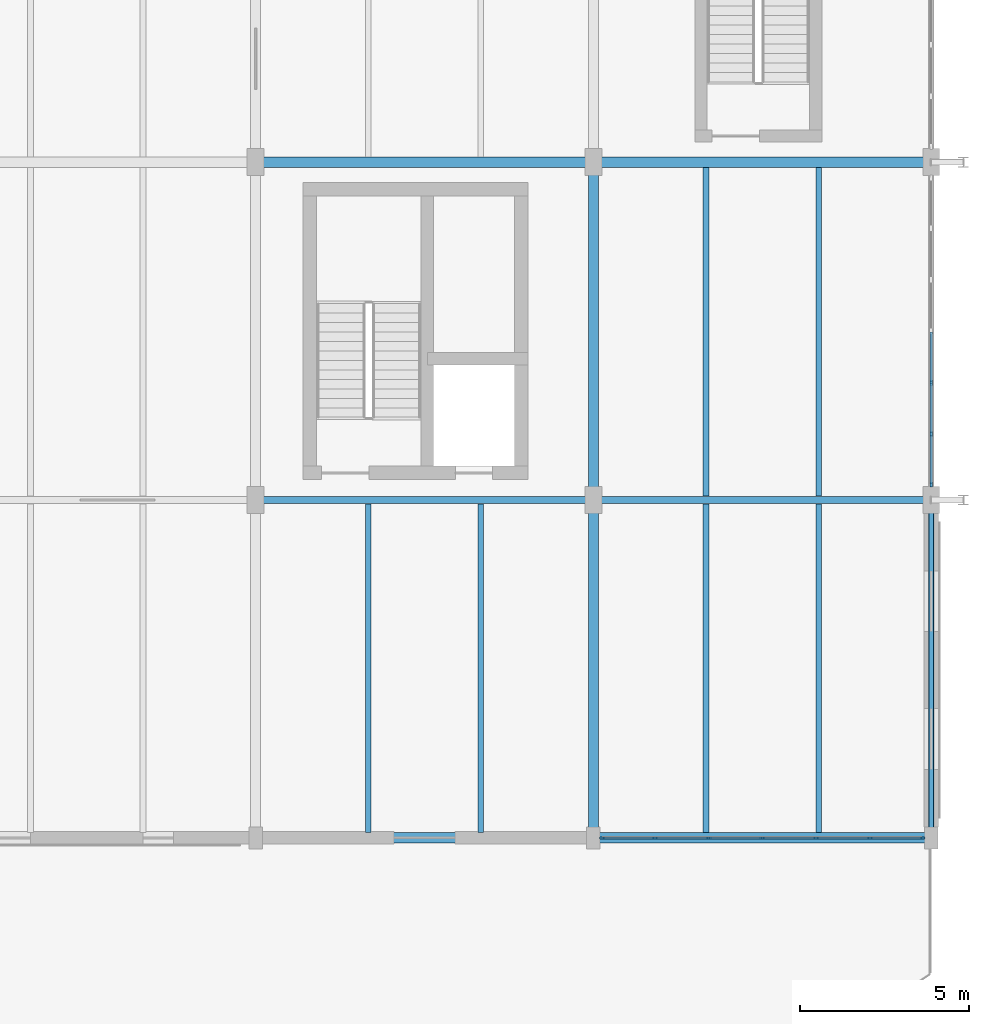
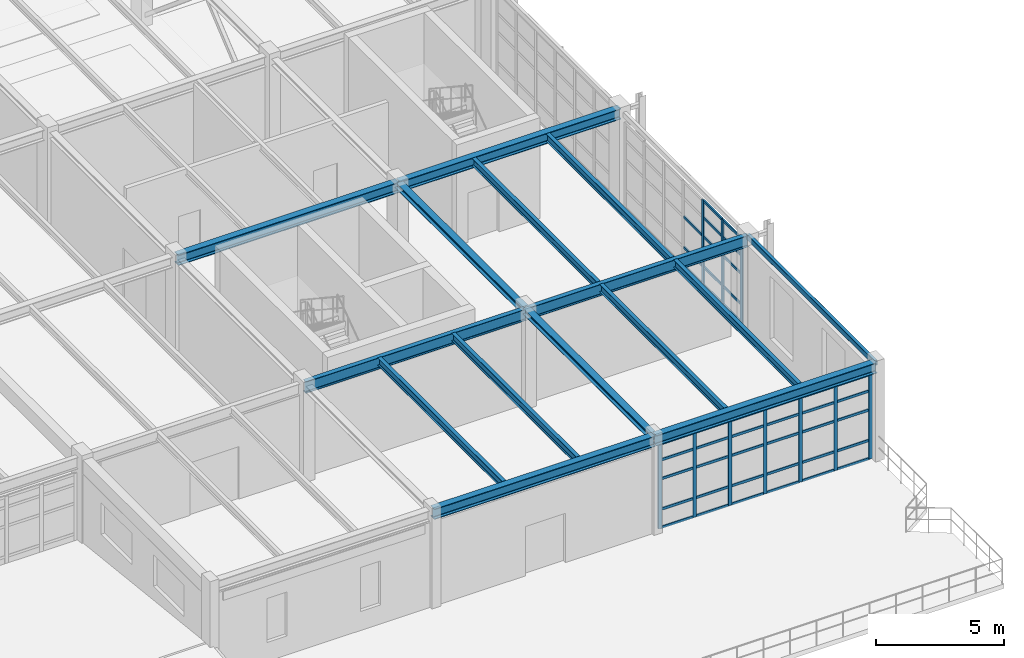
# One storey, part 64 of 139: 53 members, 15 beams, 2 elements without a shape of their own.
"""IFC4 building model written with IfcOpenShell, lengths in metres."""

from ifc_helpers import new_model, si_unit, direction, frame, origin, origin_2d, place, context, subcontext, project, spatial, rectangle, hollow_rectangle, i_section, extrude, material, layer, layer_set, material_profile, profile_set, type_object, element, aggregate, save


model = new_model("IFC4")

# Units and contexts
model_context = context("Model", 3, precision=1e-05, world=origin(), true_north=direction((0.0, 1.0)))
body_context = subcontext(model_context, "Body", "Model", "MODEL_VIEW")
ifc_project = project(units=[si_unit("LENGTHUNIT", "METRE"), si_unit("AREAUNIT", "SQUARE_METRE"), si_unit("VOLUMEUNIT", "CUBIC_METRE"), si_unit("PLANEANGLEUNIT", "RADIAN"), si_unit("MASSUNIT", "GRAM", prefix="KILO"), si_unit("THERMODYNAMICTEMPERATUREUNIT", "KELVIN"), si_unit("POWERUNIT", "WATT")], contexts=[model_context])

# Site, building, storey
site_placement = place(None, origin())
site = spatial("IfcSite", under=ifc_project, at=site_placement, CompositionType="ELEMENT")
building_placement = place(site_placement, origin())
building = spatial("IfcBuilding", under=site, at=building_placement, Name="Korenveer Ferry Terminal", CompositionType="ELEMENT")
storey_placement = place(building_placement, frame((0.0, 0.0, 5.39990234375)))
storey = spatial("IfcBuildingStorey", under=building, at=storey_placement, Name="L01", CompositionType="ELEMENT", Elevation=5.39990234375)

# Curtain wall, members
ifc_material_1 = material(Name="Unitised bronze-and-glass curtain wall", Category="glass")
ifc_layer_1 = layer(ifc_material_1, 0.159912109375)
ifc_layer_set_1 = layer_set([ifc_layer_1], Name="Unitised bronze-and-glass curtain wall")
curtain_wall_type_1 = type_object("IfcCurtainWallType", Name="ENV-CW-37", PredefinedType="USERDEFINED", material=ifc_layer_set_1)
curtain_wall_1_placement = place(storey_placement, frame((166.22998046875, 10.0, 0.0)))
curtain_wall_1 = element("IfcCurtainWall", 1, at=curtain_wall_1_placement, inside=storey, type_object=curtain_wall_type_1, Name="Lancet curtain wall CWX-L01-X166-176-Y10-10", ObjectType="UNITISED CURTAIN WALL", PredefinedType="USERDEFINED")
ifc_material_2 = material(Name="Anodised bronze aluminium", Category="aluminium")
ifc_material_profile_1 = material_profile(ifc_material_2, rectangle(XDim=0.06005859375, YDim=0.159912109375, at=origin_2d()), Name="ALU 60x160")
ifc_profile_set_1 = profile_set([ifc_material_profile_1], Name="Anodised bronze aluminium")
member_type_1 = type_object("IfcMemberType", Name="ENV-CWM-60X160", PredefinedType="MULLION", material=ifc_profile_set_1)
member_1_placement = place(storey_placement, frame((166.260009765625, 10.0, 0.0), z_axis=(0.0, 0.0, 1.0), x_axis=(0.0, 1.0, 0.0)))
member_1 = element("IfcMember", 2, at=member_1_placement, type_object=member_type_1, Name="CW-37 mullion 1", PredefinedType="MULLION", context=body_context, shape_type="SweptSolid", body=[
    extrude(rectangle(XDim=0.06005859375, YDim=0.159912109375, at=origin_2d()), origin(), (0.0, 0.0, 1.0), 4.050048828125),
])
member_2_placement = place(storey_placement, frame((167.820068359375, 10.0, 0.0), z_axis=(0.0, 0.0, 1.0), x_axis=(0.0, 1.0, 0.0)))
member_2 = element("IfcMember", 3, at=member_2_placement, type_object=member_type_1, Name="CW-37 mullion 2", PredefinedType="MULLION", context=body_context, shape_type="SweptSolid", body=[
    extrude(rectangle(XDim=0.06005859375, YDim=0.159912109375, at=origin_2d()), origin(), (0.0, 0.0, 1.0), 4.050048828125),
])
member_3_placement = place(storey_placement, frame((169.409912109375, 10.0, 0.0), z_axis=(0.0, 0.0, 1.0), x_axis=(0.0, 1.0, 0.0)))
member_3 = element("IfcMember", 4, at=member_3_placement, type_object=member_type_1, Name="CW-37 mullion 3", PredefinedType="MULLION", context=body_context, shape_type="SweptSolid", body=[
    extrude(rectangle(XDim=0.06005859375, YDim=0.159912109375, at=origin_2d()), origin(), (0.0, 0.0, 1.0), 4.050048828125),
])
member_4_placement = place(storey_placement, frame((171.0, 10.0, 0.0), z_axis=(0.0, 0.0, 1.0), x_axis=(0.0, 1.0, 0.0)))
member_4 = element("IfcMember", 5, at=member_4_placement, type_object=member_type_1, Name="CW-37 mullion 4", PredefinedType="MULLION", context=body_context, shape_type="SweptSolid", body=[
    extrude(rectangle(XDim=0.06005859375, YDim=0.159912109375, at=origin_2d()), origin(), (0.0, 0.0, 1.0), 4.050048828125),
])
member_5_placement = place(storey_placement, frame((172.590087890625, 10.0, 0.0), z_axis=(0.0, 0.0, 1.0), x_axis=(0.0, 1.0, 0.0)))
member_5 = element("IfcMember", 6, at=member_5_placement, type_object=member_type_1, Name="CW-37 mullion 5", PredefinedType="MULLION", context=body_context, shape_type="SweptSolid", body=[
    extrude(rectangle(XDim=0.06005859375, YDim=0.159912109375, at=origin_2d()), origin(), (0.0, 0.0, 1.0), 4.050048828125),
])
member_6_placement = place(storey_placement, frame((174.179931640625, 10.0, 0.0), z_axis=(0.0, 0.0, 1.0), x_axis=(0.0, 1.0, 0.0)))
member_6 = element("IfcMember", 7, at=member_6_placement, type_object=member_type_1, Name="CW-37 mullion 6", PredefinedType="MULLION", context=body_context, shape_type="SweptSolid", body=[
    extrude(rectangle(XDim=0.06005859375, YDim=0.159912109375, at=origin_2d()), origin(), (0.0, 0.0, 1.0), 4.050048828125),
])
member_7_placement = place(storey_placement, frame((175.739990234375, 10.0, 0.0), z_axis=(0.0, 0.0, 1.0), x_axis=(0.0, 1.0, 0.0)))
member_7 = element("IfcMember", 8, at=member_7_placement, type_object=member_type_1, Name="CW-37 mullion 7", PredefinedType="MULLION", context=body_context, shape_type="SweptSolid", body=[
    extrude(rectangle(XDim=0.06005859375, YDim=0.159912109375, at=origin_2d()), origin(), (0.0, 0.0, 1.0), 4.050048828125),
])

ifc_layer_2 = layer(ifc_material_1, 0.159912109375)
ifc_layer_set_2 = layer_set([ifc_layer_2], Name="Unitised bronze-and-glass curtain wall")
curtain_wall_type_2 = type_object("IfcCurtainWallType", Name="ENV-CW-80", PredefinedType="USERDEFINED", material=ifc_layer_set_2)
curtain_wall_2_placement = place(storey_placement, frame((176.0, 29.570068359375, 0.0)))
curtain_wall_2 = element("IfcCurtainWall", 9, at=curtain_wall_2_placement, inside=storey, type_object=curtain_wall_type_2, Name="Lancet curtain wall CWX-L01-X176-176-Y20-30", ObjectType="UNITISED CURTAIN WALL", PredefinedType="USERDEFINED")
member_8_placement = place(storey_placement, frame((176.0, 23.4765625, 0.0), z_axis=(0.0, 0.0, 1.0), x_axis=(1.0, 0.0, 0.0)))
member_8 = element("IfcMember", 10, at=member_8_placement, type_object=member_type_1, Name="CW-80 mullion 5", PredefinedType="MULLION", context=body_context, shape_type="SweptSolid", body=[
    extrude(rectangle(XDim=0.06005859375, YDim=0.159912109375, at=origin_2d()), origin(), (0.0, 0.0, 1.0), 4.070068359375),
])
member_9_placement = place(storey_placement, frame((176.0, 21.953369140625, 0.0), z_axis=(0.0, 0.0, 1.0), x_axis=(1.0, 0.0, 0.0)))
member_9 = element("IfcMember", 11, at=member_9_placement, type_object=member_type_1, Name="CW-80 mullion 6", PredefinedType="MULLION", context=body_context, shape_type="SweptSolid", body=[
    extrude(rectangle(XDim=0.06005859375, YDim=0.159912109375, at=origin_2d()), origin(), (0.0, 0.0, 1.0), 4.070068359375),
])
member_10_placement = place(storey_placement, frame((176.0, 20.4599609375, 0.0), z_axis=(0.0, 0.0, 1.0), x_axis=(1.0, 0.0, 0.0)))
member_10 = element("IfcMember", 12, at=member_10_placement, type_object=member_type_1, Name="CW-80 mullion 7", PredefinedType="MULLION", context=body_context, shape_type="SweptSolid", body=[
    extrude(rectangle(XDim=0.06005859375, YDim=0.159912109375, at=origin_2d()), origin(), (0.0, 0.0, 1.0), 4.070068359375),
])

# Member
ifc_material_profile_2 = material_profile(ifc_material_2, rectangle(XDim=0.06005859375, YDim=0.1201171875, at=origin_2d()), Name="ALU 60x120")
ifc_profile_set_2 = profile_set([ifc_material_profile_2], Name="Anodised bronze aluminium")
member_type_2 = type_object("IfcMemberType", Name="ENV-CWT-60X120", PredefinedType="USERDEFINED", material=ifc_profile_set_2)
member_11_placement = place(storey_placement, frame((166.2900390625, 10.0, 0.030029296875), z_axis=(1.0, 0.0, 0.0), x_axis=(0.0, 1.0, 0.0)))
member_11 = element("IfcMember", 13, at=member_11_placement, type_object=member_type_2, Name="CW-37 transom 1.1", ObjectType="TRANSOM", PredefinedType="USERDEFINED", context=body_context, shape_type="SweptSolid", body=[
    extrude(rectangle(XDim=0.06005859375, YDim=0.1201171875, at=origin_2d()), origin(), (0.0, 0.0, 1.0), 1.5),
])

member_12_placement = place(storey_placement, frame((166.2900390625, 10.0, 0.900146484375), z_axis=(1.0, 0.0, 0.0), x_axis=(0.0, 1.0, 0.0)))
member_12 = element("IfcMember", 14, at=member_12_placement, type_object=member_type_2, Name="CW-37 transom 1.2", ObjectType="TRANSOM", PredefinedType="USERDEFINED", context=body_context, shape_type="SweptSolid", body=[
    extrude(rectangle(XDim=0.06005859375, YDim=0.1201171875, at=origin_2d()), origin(), (0.0, 0.0, 1.0), 1.5),
])

member_13_placement = place(storey_placement, frame((166.2900390625, 10.0, 2.35009765625), z_axis=(1.0, 0.0, 0.0), x_axis=(0.0, 1.0, 0.0)))
member_13 = element("IfcMember", 15, at=member_13_placement, type_object=member_type_2, Name="CW-37 transom 1.3", ObjectType="TRANSOM", PredefinedType="USERDEFINED", context=body_context, shape_type="SweptSolid", body=[
    extrude(rectangle(XDim=0.06005859375, YDim=0.1201171875, at=origin_2d()), origin(), (0.0, 0.0, 1.0), 1.5),
])

member_14_placement = place(storey_placement, frame((166.2900390625, 10.0, 3.25), z_axis=(1.0, 0.0, 0.0), x_axis=(0.0, 1.0, 0.0)))
member_14 = element("IfcMember", 16, at=member_14_placement, type_object=member_type_2, Name="CW-37 transom 1.4", ObjectType="TRANSOM", PredefinedType="USERDEFINED", context=body_context, shape_type="SweptSolid", body=[
    extrude(rectangle(XDim=0.06005859375, YDim=0.1201171875, at=origin_2d()), origin(), (0.0, 0.0, 1.0), 1.5),
])

member_15_placement = place(storey_placement, frame((166.2900390625, 10.0, 4.02001953125), z_axis=(1.0, 0.0, 0.0), x_axis=(0.0, 1.0, 0.0)))
member_15 = element("IfcMember", 17, at=member_15_placement, type_object=member_type_2, Name="CW-37 transom 1.5", ObjectType="TRANSOM", PredefinedType="USERDEFINED", context=body_context, shape_type="SweptSolid", body=[
    extrude(rectangle(XDim=0.06005859375, YDim=0.1201171875, at=origin_2d()), origin(), (0.0, 0.0, 1.0), 1.5),
])

member_16_placement = place(storey_placement, frame((167.85009765625, 10.0, 0.030029296875), z_axis=(1.0, 0.0, 0.0), x_axis=(0.0, 1.0, 0.0)))
member_16 = element("IfcMember", 18, at=member_16_placement, type_object=member_type_2, Name="CW-37 transom 2.1", ObjectType="TRANSOM", PredefinedType="USERDEFINED", context=body_context, shape_type="SweptSolid", body=[
    extrude(rectangle(XDim=0.06005859375, YDim=0.1201171875, at=origin_2d()), origin(), (0.0, 0.0, 1.0), 1.52978515625),
])

member_17_placement = place(storey_placement, frame((167.85009765625, 10.0, 0.900146484375), z_axis=(1.0, 0.0, 0.0), x_axis=(0.0, 1.0, 0.0)))
member_17 = element("IfcMember", 19, at=member_17_placement, type_object=member_type_2, Name="CW-37 transom 2.2", ObjectType="TRANSOM", PredefinedType="USERDEFINED", context=body_context, shape_type="SweptSolid", body=[
    extrude(rectangle(XDim=0.06005859375, YDim=0.1201171875, at=origin_2d()), origin(), (0.0, 0.0, 1.0), 1.52978515625),
])

member_18_placement = place(storey_placement, frame((167.85009765625, 10.0, 2.35009765625), z_axis=(1.0, 0.0, 0.0), x_axis=(0.0, 1.0, 0.0)))
member_18 = element("IfcMember", 20, at=member_18_placement, type_object=member_type_2, Name="CW-37 transom 2.3", ObjectType="TRANSOM", PredefinedType="USERDEFINED", context=body_context, shape_type="SweptSolid", body=[
    extrude(rectangle(XDim=0.06005859375, YDim=0.1201171875, at=origin_2d()), origin(), (0.0, 0.0, 1.0), 1.52978515625),
])

member_19_placement = place(storey_placement, frame((167.85009765625, 10.0, 3.25), z_axis=(1.0, 0.0, 0.0), x_axis=(0.0, 1.0, 0.0)))
member_19 = element("IfcMember", 21, at=member_19_placement, type_object=member_type_2, Name="CW-37 transom 2.4", ObjectType="TRANSOM", PredefinedType="USERDEFINED", context=body_context, shape_type="SweptSolid", body=[
    extrude(rectangle(XDim=0.06005859375, YDim=0.1201171875, at=origin_2d()), origin(), (0.0, 0.0, 1.0), 1.52978515625),
])

member_20_placement = place(storey_placement, frame((167.85009765625, 10.0, 4.02001953125), z_axis=(1.0, 0.0, 0.0), x_axis=(0.0, 1.0, 0.0)))
member_20 = element("IfcMember", 22, at=member_20_placement, type_object=member_type_2, Name="CW-37 transom 2.5", ObjectType="TRANSOM", PredefinedType="USERDEFINED", context=body_context, shape_type="SweptSolid", body=[
    extrude(rectangle(XDim=0.06005859375, YDim=0.1201171875, at=origin_2d()), origin(), (0.0, 0.0, 1.0), 1.52978515625),
])

member_21_placement = place(storey_placement, frame((169.43994140625, 10.0, 0.030029296875), z_axis=(1.0, 0.0, 0.0), x_axis=(0.0, 1.0, 0.0)))
member_21 = element("IfcMember", 23, at=member_21_placement, type_object=member_type_2, Name="CW-37 transom 3.1", ObjectType="TRANSOM", PredefinedType="USERDEFINED", context=body_context, shape_type="SweptSolid", body=[
    extrude(rectangle(XDim=0.06005859375, YDim=0.1201171875, at=origin_2d()), origin(), (0.0, 0.0, 1.0), 1.530029296875),
])

member_22_placement = place(storey_placement, frame((169.43994140625, 10.0, 0.900146484375), z_axis=(1.0, 0.0, 0.0), x_axis=(0.0, 1.0, 0.0)))
member_22 = element("IfcMember", 24, at=member_22_placement, type_object=member_type_2, Name="CW-37 transom 3.2", ObjectType="TRANSOM", PredefinedType="USERDEFINED", context=body_context, shape_type="SweptSolid", body=[
    extrude(rectangle(XDim=0.06005859375, YDim=0.1201171875, at=origin_2d()), origin(), (0.0, 0.0, 1.0), 1.530029296875),
])

member_23_placement = place(storey_placement, frame((169.43994140625, 10.0, 2.35009765625), z_axis=(1.0, 0.0, 0.0), x_axis=(0.0, 1.0, 0.0)))
member_23 = element("IfcMember", 25, at=member_23_placement, type_object=member_type_2, Name="CW-37 transom 3.3", ObjectType="TRANSOM", PredefinedType="USERDEFINED", context=body_context, shape_type="SweptSolid", body=[
    extrude(rectangle(XDim=0.06005859375, YDim=0.1201171875, at=origin_2d()), origin(), (0.0, 0.0, 1.0), 1.530029296875),
])

member_24_placement = place(storey_placement, frame((169.43994140625, 10.0, 3.25), z_axis=(1.0, 0.0, 0.0), x_axis=(0.0, 1.0, 0.0)))
member_24 = element("IfcMember", 26, at=member_24_placement, type_object=member_type_2, Name="CW-37 transom 3.4", ObjectType="TRANSOM", PredefinedType="USERDEFINED", context=body_context, shape_type="SweptSolid", body=[
    extrude(rectangle(XDim=0.06005859375, YDim=0.1201171875, at=origin_2d()), origin(), (0.0, 0.0, 1.0), 1.530029296875),
])

member_25_placement = place(storey_placement, frame((169.43994140625, 10.0, 4.02001953125), z_axis=(1.0, 0.0, 0.0), x_axis=(0.0, 1.0, 0.0)))
member_25 = element("IfcMember", 27, at=member_25_placement, type_object=member_type_2, Name="CW-37 transom 3.5", ObjectType="TRANSOM", PredefinedType="USERDEFINED", context=body_context, shape_type="SweptSolid", body=[
    extrude(rectangle(XDim=0.06005859375, YDim=0.1201171875, at=origin_2d()), origin(), (0.0, 0.0, 1.0), 1.530029296875),
])

member_26_placement = place(storey_placement, frame((171.030029296875, 10.0, 0.030029296875), z_axis=(1.0, 0.0, 0.0), x_axis=(0.0, 1.0, 0.0)))
member_26 = element("IfcMember", 28, at=member_26_placement, type_object=member_type_2, Name="CW-37 transom 4.1", ObjectType="TRANSOM", PredefinedType="USERDEFINED", context=body_context, shape_type="SweptSolid", body=[
    extrude(rectangle(XDim=0.06005859375, YDim=0.1201171875, at=origin_2d()), origin(), (0.0, 0.0, 1.0), 1.530029296875),
])

member_27_placement = place(storey_placement, frame((171.030029296875, 10.0, 0.900146484375), z_axis=(1.0, 0.0, 0.0), x_axis=(0.0, 1.0, 0.0)))
member_27 = element("IfcMember", 29, at=member_27_placement, type_object=member_type_2, Name="CW-37 transom 4.2", ObjectType="TRANSOM", PredefinedType="USERDEFINED", context=body_context, shape_type="SweptSolid", body=[
    extrude(rectangle(XDim=0.06005859375, YDim=0.1201171875, at=origin_2d()), origin(), (0.0, 0.0, 1.0), 1.530029296875),
])

member_28_placement = place(storey_placement, frame((171.030029296875, 10.0, 2.35009765625), z_axis=(1.0, 0.0, 0.0), x_axis=(0.0, 1.0, 0.0)))
member_28 = element("IfcMember", 30, at=member_28_placement, type_object=member_type_2, Name="CW-37 transom 4.3", ObjectType="TRANSOM", PredefinedType="USERDEFINED", context=body_context, shape_type="SweptSolid", body=[
    extrude(rectangle(XDim=0.06005859375, YDim=0.1201171875, at=origin_2d()), origin(), (0.0, 0.0, 1.0), 1.530029296875),
])

member_29_placement = place(storey_placement, frame((171.030029296875, 10.0, 3.25), z_axis=(1.0, 0.0, 0.0), x_axis=(0.0, 1.0, 0.0)))
member_29 = element("IfcMember", 31, at=member_29_placement, type_object=member_type_2, Name="CW-37 transom 4.4", ObjectType="TRANSOM", PredefinedType="USERDEFINED", context=body_context, shape_type="SweptSolid", body=[
    extrude(rectangle(XDim=0.06005859375, YDim=0.1201171875, at=origin_2d()), origin(), (0.0, 0.0, 1.0), 1.530029296875),
])

member_30_placement = place(storey_placement, frame((171.030029296875, 10.0, 4.02001953125), z_axis=(1.0, 0.0, 0.0), x_axis=(0.0, 1.0, 0.0)))
member_30 = element("IfcMember", 32, at=member_30_placement, type_object=member_type_2, Name="CW-37 transom 4.5", ObjectType="TRANSOM", PredefinedType="USERDEFINED", context=body_context, shape_type="SweptSolid", body=[
    extrude(rectangle(XDim=0.06005859375, YDim=0.1201171875, at=origin_2d()), origin(), (0.0, 0.0, 1.0), 1.530029296875),
])

member_31_placement = place(storey_placement, frame((172.6201171875, 10.0, 0.030029296875), z_axis=(1.0, 0.0, 0.0), x_axis=(0.0, 1.0, 0.0)))
member_31 = element("IfcMember", 33, at=member_31_placement, type_object=member_type_2, Name="CW-37 transom 5.1", ObjectType="TRANSOM", PredefinedType="USERDEFINED", context=body_context, shape_type="SweptSolid", body=[
    extrude(rectangle(XDim=0.06005859375, YDim=0.1201171875, at=origin_2d()), origin(), (0.0, 0.0, 1.0), 1.52978515625),
])

member_32_placement = place(storey_placement, frame((172.6201171875, 10.0, 0.900146484375), z_axis=(1.0, 0.0, 0.0), x_axis=(0.0, 1.0, 0.0)))
member_32 = element("IfcMember", 34, at=member_32_placement, type_object=member_type_2, Name="CW-37 transom 5.2", ObjectType="TRANSOM", PredefinedType="USERDEFINED", context=body_context, shape_type="SweptSolid", body=[
    extrude(rectangle(XDim=0.06005859375, YDim=0.1201171875, at=origin_2d()), origin(), (0.0, 0.0, 1.0), 1.52978515625),
])

member_33_placement = place(storey_placement, frame((172.6201171875, 10.0, 2.35009765625), z_axis=(1.0, 0.0, 0.0), x_axis=(0.0, 1.0, 0.0)))
member_33 = element("IfcMember", 35, at=member_33_placement, type_object=member_type_2, Name="CW-37 transom 5.3", ObjectType="TRANSOM", PredefinedType="USERDEFINED", context=body_context, shape_type="SweptSolid", body=[
    extrude(rectangle(XDim=0.06005859375, YDim=0.1201171875, at=origin_2d()), origin(), (0.0, 0.0, 1.0), 1.52978515625),
])

member_34_placement = place(storey_placement, frame((172.6201171875, 10.0, 3.25), z_axis=(1.0, 0.0, 0.0), x_axis=(0.0, 1.0, 0.0)))
member_34 = element("IfcMember", 36, at=member_34_placement, type_object=member_type_2, Name="CW-37 transom 5.4", ObjectType="TRANSOM", PredefinedType="USERDEFINED", context=body_context, shape_type="SweptSolid", body=[
    extrude(rectangle(XDim=0.06005859375, YDim=0.1201171875, at=origin_2d()), origin(), (0.0, 0.0, 1.0), 1.52978515625),
])

member_35_placement = place(storey_placement, frame((172.6201171875, 10.0, 4.02001953125), z_axis=(1.0, 0.0, 0.0), x_axis=(0.0, 1.0, 0.0)))
member_35 = element("IfcMember", 37, at=member_35_placement, type_object=member_type_2, Name="CW-37 transom 5.5", ObjectType="TRANSOM", PredefinedType="USERDEFINED", context=body_context, shape_type="SweptSolid", body=[
    extrude(rectangle(XDim=0.06005859375, YDim=0.1201171875, at=origin_2d()), origin(), (0.0, 0.0, 1.0), 1.52978515625),
])

member_36_placement = place(storey_placement, frame((174.2099609375, 10.0, 0.030029296875), z_axis=(1.0, 0.0, 0.0), x_axis=(0.0, 1.0, 0.0)))
member_36 = element("IfcMember", 38, at=member_36_placement, type_object=member_type_2, Name="CW-37 transom 6.1", ObjectType="TRANSOM", PredefinedType="USERDEFINED", context=body_context, shape_type="SweptSolid", body=[
    extrude(rectangle(XDim=0.06005859375, YDim=0.1201171875, at=origin_2d()), origin(), (0.0, 0.0, 1.0), 1.5),
])

member_37_placement = place(storey_placement, frame((174.2099609375, 10.0, 0.900146484375), z_axis=(1.0, 0.0, 0.0), x_axis=(0.0, 1.0, 0.0)))
member_37 = element("IfcMember", 39, at=member_37_placement, type_object=member_type_2, Name="CW-37 transom 6.2", ObjectType="TRANSOM", PredefinedType="USERDEFINED", context=body_context, shape_type="SweptSolid", body=[
    extrude(rectangle(XDim=0.06005859375, YDim=0.1201171875, at=origin_2d()), origin(), (0.0, 0.0, 1.0), 1.5),
])

member_38_placement = place(storey_placement, frame((174.2099609375, 10.0, 2.35009765625), z_axis=(1.0, 0.0, 0.0), x_axis=(0.0, 1.0, 0.0)))
member_38 = element("IfcMember", 40, at=member_38_placement, type_object=member_type_2, Name="CW-37 transom 6.3", ObjectType="TRANSOM", PredefinedType="USERDEFINED", context=body_context, shape_type="SweptSolid", body=[
    extrude(rectangle(XDim=0.06005859375, YDim=0.1201171875, at=origin_2d()), origin(), (0.0, 0.0, 1.0), 1.5),
])

member_39_placement = place(storey_placement, frame((174.2099609375, 10.0, 3.25), z_axis=(1.0, 0.0, 0.0), x_axis=(0.0, 1.0, 0.0)))
member_39 = element("IfcMember", 41, at=member_39_placement, type_object=member_type_2, Name="CW-37 transom 6.4", ObjectType="TRANSOM", PredefinedType="USERDEFINED", context=body_context, shape_type="SweptSolid", body=[
    extrude(rectangle(XDim=0.06005859375, YDim=0.1201171875, at=origin_2d()), origin(), (0.0, 0.0, 1.0), 1.5),
])

member_40_placement = place(storey_placement, frame((174.2099609375, 10.0, 4.02001953125), z_axis=(1.0, 0.0, 0.0), x_axis=(0.0, 1.0, 0.0)))
member_40 = element("IfcMember", 42, at=member_40_placement, type_object=member_type_2, Name="CW-37 transom 6.5", ObjectType="TRANSOM", PredefinedType="USERDEFINED", context=body_context, shape_type="SweptSolid", body=[
    extrude(rectangle(XDim=0.06005859375, YDim=0.1201171875, at=origin_2d()), origin(), (0.0, 0.0, 1.0), 1.5),
])

aggregate(curtain_wall_1, [member_1, member_2, member_3, member_4, member_5, member_6, member_7, member_11, member_12, member_13, member_14, member_15, member_16, member_17, member_18, member_19, member_20, member_21, member_22, member_23, member_24, member_25, member_26, member_27, member_28, member_29, member_30, member_31, member_32, member_33, member_34, member_35, member_36, member_37, member_38, member_39, member_40])

member_41_placement = place(storey_placement, frame((176.0, 24.969970703125, 0.030029296875), z_axis=(0.0, -1.0, 0.0), x_axis=(1.0, 0.0, 0.0)))
member_41 = element("IfcMember", 43, at=member_41_placement, type_object=member_type_2, Name="CW-80 transom 4.1", ObjectType="TRANSOM", PredefinedType="USERDEFINED", context=body_context, shape_type="SweptSolid", body=[
    extrude(rectangle(XDim=0.06005859375, YDim=0.1201171875, at=origin_2d()), origin(), (0.0, 0.0, 1.0), 1.46337890625),
])

member_42_placement = place(storey_placement, frame((176.0, 24.969970703125, 0.900146484375), z_axis=(0.0, -1.0, 0.0), x_axis=(1.0, 0.0, 0.0)))
member_42 = element("IfcMember", 44, at=member_42_placement, type_object=member_type_2, Name="CW-80 transom 4.2", ObjectType="TRANSOM", PredefinedType="USERDEFINED", context=body_context, shape_type="SweptSolid", body=[
    extrude(rectangle(XDim=0.06005859375, YDim=0.1201171875, at=origin_2d()), origin(), (0.0, 0.0, 1.0), 1.46337890625),
])

member_43_placement = place(storey_placement, frame((176.0, 24.969970703125, 2.35009765625), z_axis=(0.0, -1.0, 0.0), x_axis=(1.0, 0.0, 0.0)))
member_43 = element("IfcMember", 45, at=member_43_placement, type_object=member_type_2, Name="CW-80 transom 4.3", ObjectType="TRANSOM", PredefinedType="USERDEFINED", context=body_context, shape_type="SweptSolid", body=[
    extrude(rectangle(XDim=0.06005859375, YDim=0.1201171875, at=origin_2d()), origin(), (0.0, 0.0, 1.0), 1.46337890625),
])

member_44_placement = place(storey_placement, frame((176.0, 23.44677734375, 0.030029296875), z_axis=(0.0, -1.0, 0.0), x_axis=(1.0, 0.0, 0.0)))
member_44 = element("IfcMember", 46, at=member_44_placement, type_object=member_type_2, Name="CW-80 transom 5.1", ObjectType="TRANSOM", PredefinedType="USERDEFINED", context=body_context, shape_type="SweptSolid", body=[
    extrude(rectangle(XDim=0.06005859375, YDim=0.1201171875, at=origin_2d()), origin(), (0.0, 0.0, 1.0), 1.46337890625),
])

member_45_placement = place(storey_placement, frame((176.0, 23.44677734375, 0.900146484375), z_axis=(0.0, -1.0, 0.0), x_axis=(1.0, 0.0, 0.0)))
member_45 = element("IfcMember", 47, at=member_45_placement, type_object=member_type_2, Name="CW-80 transom 5.2", ObjectType="TRANSOM", PredefinedType="USERDEFINED", context=body_context, shape_type="SweptSolid", body=[
    extrude(rectangle(XDim=0.06005859375, YDim=0.1201171875, at=origin_2d()), origin(), (0.0, 0.0, 1.0), 1.46337890625),
])

member_46_placement = place(storey_placement, frame((176.0, 23.44677734375, 2.35009765625), z_axis=(0.0, -1.0, 0.0), x_axis=(1.0, 0.0, 0.0)))
member_46 = element("IfcMember", 48, at=member_46_placement, type_object=member_type_2, Name="CW-80 transom 5.3", ObjectType="TRANSOM", PredefinedType="USERDEFINED", context=body_context, shape_type="SweptSolid", body=[
    extrude(rectangle(XDim=0.06005859375, YDim=0.1201171875, at=origin_2d()), origin(), (0.0, 0.0, 1.0), 1.46337890625),
])

member_47_placement = place(storey_placement, frame((176.0, 23.44677734375, 3.25), z_axis=(0.0, -1.0, 0.0), x_axis=(1.0, 0.0, 0.0)))
member_47 = element("IfcMember", 49, at=member_47_placement, type_object=member_type_2, Name="CW-80 transom 5.4", ObjectType="TRANSOM", PredefinedType="USERDEFINED", context=body_context, shape_type="SweptSolid", body=[
    extrude(rectangle(XDim=0.06005859375, YDim=0.1201171875, at=origin_2d()), origin(), (0.0, 0.0, 1.0), 1.46337890625),
])

member_48_placement = place(storey_placement, frame((176.0, 23.44677734375, 4.0400390625), z_axis=(0.0, -1.0, 0.0), x_axis=(1.0, 0.0, 0.0)))
member_48 = element("IfcMember", 50, at=member_48_placement, type_object=member_type_2, Name="CW-80 transom 5.5", ObjectType="TRANSOM", PredefinedType="USERDEFINED", context=body_context, shape_type="SweptSolid", body=[
    extrude(rectangle(XDim=0.06005859375, YDim=0.1201171875, at=origin_2d()), origin(), (0.0, 0.0, 1.0), 1.46337890625),
])

member_49_placement = place(storey_placement, frame((176.0, 21.92333984375, 0.030029296875), z_axis=(0.0, -1.0, 0.0), x_axis=(1.0, 0.0, 0.0)))
member_49 = element("IfcMember", 51, at=member_49_placement, type_object=member_type_2, Name="CW-80 transom 6.1", ObjectType="TRANSOM", PredefinedType="USERDEFINED", context=body_context, shape_type="SweptSolid", body=[
    extrude(rectangle(XDim=0.06005859375, YDim=0.1201171875, at=origin_2d()), origin(), (0.0, 0.0, 1.0), 1.433349609375),
])

member_50_placement = place(storey_placement, frame((176.0, 21.92333984375, 0.900146484375), z_axis=(0.0, -1.0, 0.0), x_axis=(1.0, 0.0, 0.0)))
member_50 = element("IfcMember", 52, at=member_50_placement, type_object=member_type_2, Name="CW-80 transom 6.2", ObjectType="TRANSOM", PredefinedType="USERDEFINED", context=body_context, shape_type="SweptSolid", body=[
    extrude(rectangle(XDim=0.06005859375, YDim=0.1201171875, at=origin_2d()), origin(), (0.0, 0.0, 1.0), 1.433349609375),
])

member_51_placement = place(storey_placement, frame((176.0, 21.92333984375, 2.35009765625), z_axis=(0.0, -1.0, 0.0), x_axis=(1.0, 0.0, 0.0)))
member_51 = element("IfcMember", 53, at=member_51_placement, type_object=member_type_2, Name="CW-80 transom 6.3", ObjectType="TRANSOM", PredefinedType="USERDEFINED", context=body_context, shape_type="SweptSolid", body=[
    extrude(rectangle(XDim=0.06005859375, YDim=0.1201171875, at=origin_2d()), origin(), (0.0, 0.0, 1.0), 1.433349609375),
])

member_52_placement = place(storey_placement, frame((176.0, 21.92333984375, 3.25), z_axis=(0.0, -1.0, 0.0), x_axis=(1.0, 0.0, 0.0)))
member_52 = element("IfcMember", 54, at=member_52_placement, type_object=member_type_2, Name="CW-80 transom 6.4", ObjectType="TRANSOM", PredefinedType="USERDEFINED", context=body_context, shape_type="SweptSolid", body=[
    extrude(rectangle(XDim=0.06005859375, YDim=0.1201171875, at=origin_2d()), origin(), (0.0, 0.0, 1.0), 1.433349609375),
])

member_53_placement = place(storey_placement, frame((176.0, 21.92333984375, 4.0400390625), z_axis=(0.0, -1.0, 0.0), x_axis=(1.0, 0.0, 0.0)))
member_53 = element("IfcMember", 55, at=member_53_placement, type_object=member_type_2, Name="CW-80 transom 6.5", ObjectType="TRANSOM", PredefinedType="USERDEFINED", context=body_context, shape_type="SweptSolid", body=[
    extrude(rectangle(XDim=0.06005859375, YDim=0.1201171875, at=origin_2d()), origin(), (0.0, 0.0, 1.0), 1.433349609375),
])

aggregate(curtain_wall_2, [member_8, member_9, member_10, member_41, member_42, member_43, member_44, member_45, member_46, member_47, member_48, member_49, member_50, member_51, member_52, member_53])

# Beams
ifc_material_3 = material(Name="Steel S355", Category="steel")
ifc_material_profile_3 = material_profile(ifc_material_3, i_section(OverallWidth=0.300048828125, OverallDepth=0.2900390625, WebThickness=0.008544921875, FlangeThickness=0.013916015625, FilletRadius=0.027099609375, at=origin_2d()), Name="HEA 300")
ifc_profile_set_3 = profile_set([ifc_material_profile_3], Name="Steel S355")
beam_type_1 = type_object("IfcBeamType", Name="STR-BM-HEA300", PredefinedType="BEAM", material=ifc_profile_set_3)
for number, where, z_axis, x_axis, name in (
    (56, (166.0, 10.02001953125, 4.43505859375), (0.0, 1.0, 0.0), (-1.0, 0.0, 0.0), "Primary Y girder BMY-L02-X166-Y10-20"),
    (57, (166.0, 20.02001953125, 4.405029296875), (0.0, 1.0, 0.0), (-1.0, 0.0, 0.0), "Primary Y girder BMY-L02-X166-Y20-30"),
):
    element("IfcBeam", number, at=place(storey_placement, frame(where, z_axis=z_axis, x_axis=x_axis)), inside=storey, type_object=beam_type_1, Name=name, PredefinedType="BEAM", context=body_context, shape_type="SweptSolid", body=[
        extrude(i_section(OverallWidth=0.300048828125, OverallDepth=0.2900390625, WebThickness=0.008544921875, FlangeThickness=0.013916015625, FilletRadius=0.027099609375, at=origin_2d()), origin(), (0.0, 0.0, 1.0), 9.9599609375),
    ])
ifc_material_profile_4 = material_profile(ifc_material_3, i_section(OverallWidth=0.300048828125, OverallDepth=0.5, WebThickness=0.014404296875, FlangeThickness=0.028076171875, FilletRadius=0.027099609375, at=origin_2d()), Name="HEB 500")
ifc_profile_set_4 = profile_set([ifc_material_profile_4], Name="Steel S355")
beam_type_2 = type_object("IfcBeamType", Name="STR-BM-HEB500", PredefinedType="BEAM", material=ifc_profile_set_4)
for number, where, z_axis, x_axis, name in (
    (58, (156.02001953125, 10.0, 4.330078125), (1.0, 0.0, 0.0), (0.0, 1.0, 0.0), "Primary X girder BMX-L02-X156-166-Y10"),
    (59, (166.02001953125, 10.0, 4.330078125), (1.0, 0.0, 0.0), (0.0, 1.0, 0.0), "Primary X girder BMX-L02-X166-176-Y10"),
    (60, (156.02001953125, 30.0, 4.300048828125), (1.0, 0.0, 0.0), (0.0, 1.0, 0.0), "Primary X girder BMX-L02-X156-166-Y30"),
    (61, (166.02001953125, 30.0, 4.300048828125), (1.0, 0.0, 0.0), (0.0, 1.0, 0.0), "Primary X girder BMX-L02-X166-176-Y30"),
):
    element("IfcBeam", number, at=place(storey_placement, frame(where, z_axis=z_axis, x_axis=x_axis)), inside=storey, type_object=beam_type_2, Name=name, PredefinedType="BEAM", context=body_context, shape_type="SweptSolid", body=[
        extrude(i_section(OverallWidth=0.300048828125, OverallDepth=0.5, WebThickness=0.014404296875, FlangeThickness=0.028076171875, FilletRadius=0.027099609375, at=origin_2d()), origin(), (0.0, 0.0, 1.0), 9.9599609375),
    ])
ifc_material_profile_5 = material_profile(ifc_material_3, i_section(OverallWidth=0.2099609375, OverallDepth=0.550048828125, WebThickness=0.010986328125, FlangeThickness=0.01708984375, FilletRadius=0.02392578125, at=origin_2d()), Name="IPE 550")
ifc_profile_set_5 = profile_set([ifc_material_profile_5], Name="Steel S355")
beam_type_3 = type_object("IfcBeamType", Name="STR-BM-IPE550", PredefinedType="BEAM", material=ifc_profile_set_5)
for number, where, z_axis, x_axis, name in (
    (62, (156.02001953125, 20.0, 4.275146484375), (1.0, 0.0, 0.0), (0.0, 1.0, 0.0), "Primary X girder BMX-L02-X156-166-Y20"),
    (63, (166.02001953125, 20.0, 4.275146484375), (1.0, 0.0, 0.0), (0.0, 1.0, 0.0), "Primary X girder BMX-L02-X166-176-Y20"),
):
    element("IfcBeam", number, at=place(storey_placement, frame(where, z_axis=z_axis, x_axis=x_axis)), inside=storey, type_object=beam_type_3, Name=name, PredefinedType="BEAM", context=body_context, shape_type="SweptSolid", body=[
        extrude(i_section(OverallWidth=0.2099609375, OverallDepth=0.550048828125, WebThickness=0.010986328125, FlangeThickness=0.01708984375, FilletRadius=0.02392578125, at=origin_2d()), origin(), (0.0, 0.0, 1.0), 9.9599609375),
    ])
ifc_material_profile_6 = material_profile(ifc_material_3, i_section(OverallWidth=0.169921875, OverallDepth=0.360107421875, WebThickness=0.008056640625, FlangeThickness=0.0126953125, FilletRadius=0.01806640625, at=origin_2d()), Name="IPE 360")
ifc_profile_set_6 = profile_set([ifc_material_profile_6], Name="Steel S355")
beam_type_4 = type_object("IfcBeamType", Name="STR-JST-IPE360", PredefinedType="JOIST", material=ifc_profile_set_6)
for number, where, z_axis, x_axis, name in (
    (64, (159.333251953125, 10.159912109375, 4.400146484375), (0.0, 1.0, 0.0), (-1.0, 0.0, 0.0), "Secondary composite joist JST-L02-X1593-Y10-20"),
    (65, (162.666748046875, 10.159912109375, 4.400146484375), (0.0, 1.0, 0.0), (-1.0, 0.0, 0.0), "Secondary composite joist JST-L02-X1627-Y10-20"),
    (66, (169.333251953125, 10.159912109375, 4.400146484375), (0.0, 1.0, 0.0), (-1.0, 0.0, 0.0), "Secondary composite joist JST-L02-X1693-Y10-20"),
    (67, (172.666748046875, 10.159912109375, 4.400146484375), (0.0, 1.0, 0.0), (-1.0, 0.0, 0.0), "Secondary composite joist JST-L02-X1727-Y10-20"),
    (68, (169.333251953125, 20.114990234375, 4.3701171875), (0.0, 1.0, 0.0), (-1.0, 0.0, 0.0), "Secondary composite joist JST-L02-X1693-Y20-30"),
    (69, (172.666748046875, 20.114990234375, 4.3701171875), (0.0, 1.0, 0.0), (-1.0, 0.0, 0.0), "Secondary composite joist JST-L02-X1727-Y20-30"),
):
    element("IfcBeam", number, at=place(storey_placement, frame(where, z_axis=z_axis, x_axis=x_axis)), inside=storey, type_object=beam_type_4, Name=name, PredefinedType="JOIST", context=body_context, shape_type="SweptSolid", body=[
        extrude(i_section(OverallWidth=0.169921875, OverallDepth=0.360107421875, WebThickness=0.008056640625, FlangeThickness=0.0126953125, FilletRadius=0.01806640625, at=origin_2d()), origin(), (0.0, 0.0, 1.0), 9.72509765625),
    ])
ifc_material_profile_7 = material_profile(ifc_material_3, hollow_rectangle(XDim=0.14990234375, YDim=0.25, WallThickness=0.010009765625, InnerFilletRadius=0.010009765625, OuterFilletRadius=0.014892578125, at=origin_2d()), Name="RHS 250x150x10")
ifc_profile_set_7 = profile_set([ifc_material_profile_7], Name="Steel S355")
beam_type_5 = type_object("IfcBeamType", Name="STR-SPD-RHS250", PredefinedType="SPANDREL", material=ifc_profile_set_7)
beam_placement = place(storey_placement, frame((176.0, 10.02001953125, 4.455078125), z_axis=(0.0, 1.0, 0.0), x_axis=(-1.0, 0.0, 0.0)))
element("IfcBeam", 70, at=beam_placement, inside=storey, type_object=beam_type_5, Name="Primary Y girder BMY-L02-X176-Y10-20", PredefinedType="SPANDREL", context=body_context, shape_type="SweptSolid", body=[
    extrude(hollow_rectangle(XDim=0.14990234375, YDim=0.25, WallThickness=0.010009765625, InnerFilletRadius=0.010009765625, OuterFilletRadius=0.014892578125, at=origin_2d()), origin(), (0.0, 0.0, 1.0), 9.9599609375),
])

save(model, "model.ifc")
